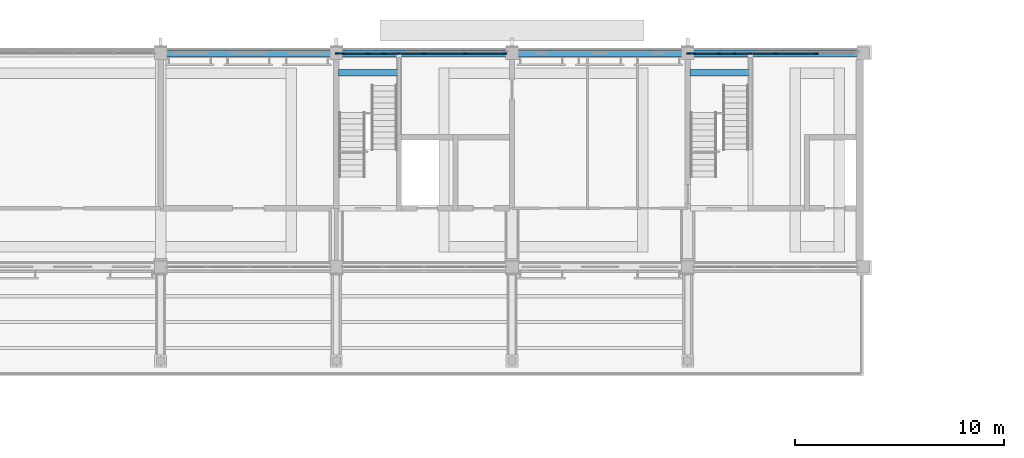
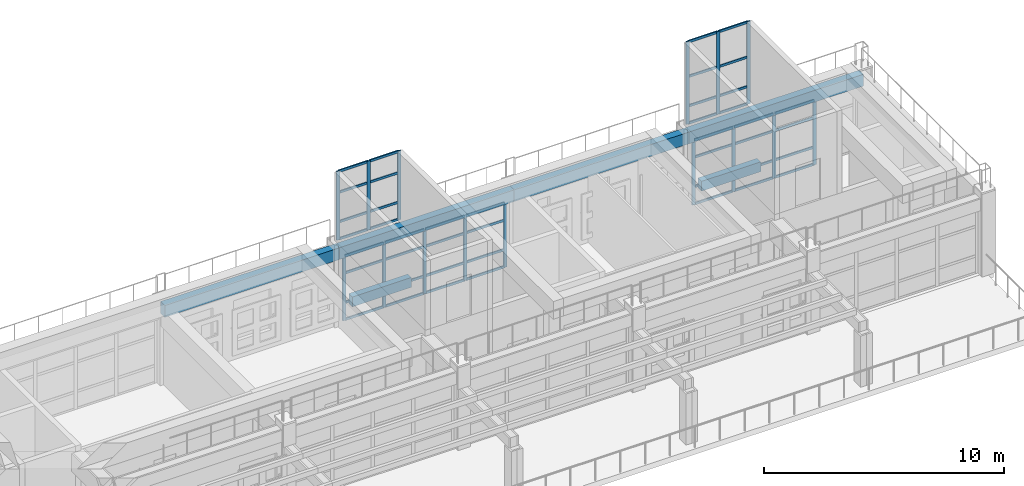
# One storey, part 39 of 105: 59 members, 6 beams, 4 elements without a shape of their own.
"""IFC4 building model written with IfcOpenShell, lengths in metres."""

from ifc_helpers import new_model, si_unit, direction, frame, origin, origin_2d, place, context, subcontext, project, spatial, rectangle, extrude, material, layer, layer_set, material_profile, profile_set, type_object, element, aggregate, save


model = new_model("IFC4")

# Units and contexts
model_context = context("Model", 3, precision=1e-05, world=origin(), true_north=direction((0.0, 1.0)))
body_context = subcontext(model_context, "Body", "Model", "MODEL_VIEW")
ifc_project = project(units=[si_unit("LENGTHUNIT", "METRE"), si_unit("AREAUNIT", "SQUARE_METRE"), si_unit("VOLUMEUNIT", "CUBIC_METRE"), si_unit("PLANEANGLEUNIT", "RADIAN"), si_unit("MASSUNIT", "GRAM", prefix="KILO")], contexts=[model_context])

# Site, building, storey
site_placement = place(None, origin())
site = spatial("IfcSite", under=ifc_project, at=site_placement, CompositionType="ELEMENT")
building_placement = place(site_placement, origin())
building = spatial("IfcBuilding", under=site, at=building_placement, Name="Wasatch Bagh Community Centre", CompositionType="ELEMENT")
storey_placement = place(building_placement, frame((0.0, 0.0, 16.800048828125)))
storey = spatial("IfcBuildingStorey", under=building, at=storey_placement, Name="L04", CompositionType="ELEMENT", Elevation=16.800048828125)

# Beams
ifc_material_1 = material(Name="Concrete C35", Category="concrete")
ifc_material_profile_1 = material_profile(ifc_material_1, rectangle(XDim=0.300048828125, YDim=0.5, at=origin_2d()), Name="RC 300x500")
ifc_profile_set_1 = profile_set([ifc_material_profile_1], Name="Concrete C35")
beam_type_1 = type_object("IfcBeamType", Name="LW RC 300x500", PredefinedType="BEAM", material=ifc_profile_set_1)
for number, where, z_axis, x_axis, name in (
    (1, (106.10498046875, 96.8798828125, 1.64990234375), (1.0, 0.0, 0.0), (0.0, 1.0, 0.0), "LW.lbeam.L04.C2"),
    (2, (122.905029296875, 96.8798828125, 1.64990234375), (1.0, 0.0, 0.0), (0.0, 1.0, 0.0), "LW.lbeam.L04.C3"),
):
    element("IfcBeam", number, at=place(storey_placement, frame(where, z_axis=z_axis, x_axis=x_axis)), inside=storey, type_object=beam_type_1, Name=name, PredefinedType="BEAM", context=body_context, shape_type="SweptSolid", body=[
        extrude(rectangle(XDim=0.300048828125, YDim=0.5, at=origin_2d()), origin(), (0.0, 0.0, 1.0), 2.840087890625),
    ])
ifc_material_profile_2 = material_profile(ifc_material_1, rectangle(XDim=0.35009765625, YDim=0.60009765625, at=origin_2d()), Name="RC 350x600")
ifc_profile_set_2 = profile_set([ifc_material_profile_2], Name="Concrete C35")
beam_type_2 = type_object("IfcBeamType", Name="LW RC 350x600", PredefinedType="BEAM", material=ifc_profile_set_2)
for number, where, z_axis, x_axis, name in (
    (3, (97.60009765625, 97.800048828125, 3.599853515625), (1.0, 0.0, 0.0), (0.0, 1.0, 0.0), "W5-W6N"),
    (4, (106.0, 97.800048828125, 3.599853515625), (1.0, 0.0, 0.0), (0.0, 1.0, 0.0), "W6-W7N"),
):
    element("IfcBeam", number, at=place(storey_placement, frame(where, z_axis=z_axis, x_axis=x_axis)), inside=storey, type_object=beam_type_2, Name=name, PredefinedType="BEAM", context=body_context, shape_type="SweptSolid", body=[
        extrude(rectangle(XDim=0.35009765625, YDim=0.60009765625, at=origin_2d()), origin(), (0.0, 0.0, 1.0), 8.39990234375),
    ])
beam_1_placement = place(storey_placement, frame((114.39990234375, 97.800048828125, 3.599853515625), z_axis=(1.0, 0.0, 0.0), x_axis=(0.0, 1.0, 0.0)))
element("IfcBeam", 5, at=beam_1_placement, inside=storey, type_object=beam_type_2, Name="W7-W8N", PredefinedType="BEAM", context=body_context, shape_type="SweptSolid", body=[
    extrude(rectangle(XDim=0.35009765625, YDim=0.60009765625, at=origin_2d()), origin(), (0.0, 0.0, 1.0), 8.400146484375),
])
beam_2_placement = place(storey_placement, frame((122.800048828125, 97.800048828125, 3.599853515625), z_axis=(1.0, 0.0, 0.0), x_axis=(0.0, 1.0, 0.0)))
element("IfcBeam", 6, at=beam_2_placement, inside=storey, type_object=beam_type_2, Name="W8-W9N", PredefinedType="BEAM", context=body_context, shape_type="SweptSolid", body=[
    extrude(rectangle(XDim=0.35009765625, YDim=0.60009765625, at=origin_2d()), origin(), (0.0, 0.0, 1.0), 8.39990234375),
])

# Curtain wall, members
ifc_material_2 = material(Name="Aluminium curtain wall frame with low-iron glass", Category="aluminium")
ifc_layer_1 = layer(ifc_material_2, 0.10009765625)
ifc_layer_set_1 = layer_set([ifc_layer_1], Name="Aluminium curtain wall frame with low-iron glass")
curtain_wall_type_1 = type_object("IfcCurtainWallType", Name="LW curtain wall 100", PredefinedType="NOTDEFINED", material=ifc_layer_set_1)
curtain_wall_1_placement = place(storey_placement, origin())
curtain_wall_1 = element("IfcCurtainWall", 7, at=curtain_wall_1_placement, inside=storey, type_object=curtain_wall_type_1, Name="Curtain wall 04.07", PredefinedType="NOTDEFINED")
ifc_material_3 = material(Name="Aluminium extrusion", Category="aluminium")
ifc_material_profile_3 = material_profile(ifc_material_3, rectangle(XDim=0.06005859375, YDim=0.159912109375, at=origin_2d()), Name="AL 60x160")
ifc_profile_set_3 = profile_set([ifc_material_profile_3], Name="Aluminium extrusion")
member_type_1 = type_object("IfcMemberType", Name="LW curtain wall mullion 60x160", PredefinedType="MULLION", material=ifc_profile_set_3)
member_1_placement = place(storey_placement, frame((106.330078125, 97.800048828125, 0.0), z_axis=(0.0, 0.0, 1.0), x_axis=(0.0, 1.0, 0.0)))
member_1 = element("IfcMember", 8, at=member_1_placement, type_object=member_type_1, Name="LW-CW1 mullion 1", PredefinedType="MULLION", context=body_context, shape_type="SweptSolid", body=[
    extrude(rectangle(XDim=0.06005859375, YDim=0.159912109375, at=origin_2d()), origin(), (0.0, 0.0, 1.0), 3.300048828125),
])
member_2_placement = place(storey_placement, frame((108.25, 97.800048828125, 0.0), z_axis=(0.0, 0.0, 1.0), x_axis=(0.0, 1.0, 0.0)))
member_2 = element("IfcMember", 9, at=member_2_placement, type_object=member_type_1, Name="LW-CW1 mullion 2", PredefinedType="MULLION", context=body_context, shape_type="SweptSolid", body=[
    extrude(rectangle(XDim=0.06005859375, YDim=0.159912109375, at=origin_2d()), origin(), (0.0, 0.0, 1.0), 3.300048828125),
])
member_3_placement = place(storey_placement, frame((110.199951171875, 97.800048828125, 0.0), z_axis=(0.0, 0.0, 1.0), x_axis=(0.0, 1.0, 0.0)))
member_3 = element("IfcMember", 10, at=member_3_placement, type_object=member_type_1, Name="LW-CW1 mullion 3", PredefinedType="MULLION", context=body_context, shape_type="SweptSolid", body=[
    extrude(rectangle(XDim=0.06005859375, YDim=0.159912109375, at=origin_2d()), origin(), (0.0, 0.0, 1.0), 3.300048828125),
])
member_4_placement = place(storey_placement, frame((112.14990234375, 97.800048828125, 0.0), z_axis=(0.0, 0.0, 1.0), x_axis=(0.0, 1.0, 0.0)))
member_4 = element("IfcMember", 11, at=member_4_placement, type_object=member_type_1, Name="LW-CW1 mullion 4", PredefinedType="MULLION", context=body_context, shape_type="SweptSolid", body=[
    extrude(rectangle(XDim=0.06005859375, YDim=0.159912109375, at=origin_2d()), origin(), (0.0, 0.0, 1.0), 3.300048828125),
])
member_5_placement = place(storey_placement, frame((114.070068359375, 97.800048828125, 0.0), z_axis=(0.0, 0.0, 1.0), x_axis=(0.0, 1.0, 0.0)))
member_5 = element("IfcMember", 12, at=member_5_placement, type_object=member_type_1, Name="LW-CW1 mullion 5", PredefinedType="MULLION", context=body_context, shape_type="SweptSolid", body=[
    extrude(rectangle(XDim=0.06005859375, YDim=0.159912109375, at=origin_2d()), origin(), (0.0, 0.0, 1.0), 3.300048828125),
])

curtain_wall_2_placement = place(storey_placement, origin())
curtain_wall_2 = element("IfcCurtainWall", 13, at=curtain_wall_2_placement, inside=storey, type_object=curtain_wall_type_1, Name="Curtain wall 04.08", PredefinedType="NOTDEFINED")
member_6_placement = place(storey_placement, frame((123.1298828125, 97.800048828125, 0.0), z_axis=(0.0, 0.0, 1.0), x_axis=(0.0, 1.0, 0.0)))
member_6 = element("IfcMember", 14, at=member_6_placement, type_object=member_type_1, Name="LW-CW1 mullion 1", PredefinedType="MULLION", context=body_context, shape_type="SweptSolid", body=[
    extrude(rectangle(XDim=0.06005859375, YDim=0.159912109375, at=origin_2d()), origin(), (0.0, 0.0, 1.0), 3.300048828125),
])
member_7_placement = place(storey_placement, frame((125.050048828125, 97.800048828125, 0.0), z_axis=(0.0, 0.0, 1.0), x_axis=(0.0, 1.0, 0.0)))
member_7 = element("IfcMember", 15, at=member_7_placement, type_object=member_type_1, Name="LW-CW1 mullion 2", PredefinedType="MULLION", context=body_context, shape_type="SweptSolid", body=[
    extrude(rectangle(XDim=0.06005859375, YDim=0.159912109375, at=origin_2d()), origin(), (0.0, 0.0, 1.0), 3.300048828125),
])
member_8_placement = place(storey_placement, frame((127.0, 97.800048828125, 0.0), z_axis=(0.0, 0.0, 1.0), x_axis=(0.0, 1.0, 0.0)))
member_8 = element("IfcMember", 16, at=member_8_placement, type_object=member_type_1, Name="LW-CW1 mullion 3", PredefinedType="MULLION", context=body_context, shape_type="SweptSolid", body=[
    extrude(rectangle(XDim=0.06005859375, YDim=0.159912109375, at=origin_2d()), origin(), (0.0, 0.0, 1.0), 3.300048828125),
])
member_9_placement = place(storey_placement, frame((128.949951171875, 97.800048828125, 0.0), z_axis=(0.0, 0.0, 1.0), x_axis=(0.0, 1.0, 0.0)))
member_9 = element("IfcMember", 17, at=member_9_placement, type_object=member_type_1, Name="LW-CW1 mullion 4", PredefinedType="MULLION", context=body_context, shape_type="SweptSolid", body=[
    extrude(rectangle(XDim=0.06005859375, YDim=0.159912109375, at=origin_2d()), origin(), (0.0, 0.0, 1.0), 3.300048828125),
])

ifc_layer_2 = layer(ifc_material_2, 0.090087890625)
ifc_layer_set_2 = layer_set([ifc_layer_2], Name="Aluminium curtain wall frame with low-iron glass")
curtain_wall_type_2 = type_object("IfcCurtainWallType", Name="LW head house curtain wall 90", PredefinedType="NOTDEFINED", material=ifc_layer_set_2)
curtain_wall_3_placement = place(storey_placement, origin())
curtain_wall_3 = element("IfcCurtainWall", 18, at=curtain_wall_3_placement, inside=storey, type_object=curtain_wall_type_2, Name="Curtain wall 04.51", PredefinedType="NOTDEFINED")
ifc_material_profile_4 = material_profile(ifc_material_3, rectangle(XDim=0.06005859375, YDim=0.159912109375, at=origin_2d()), Name="AL 60x160")
ifc_profile_set_4 = profile_set([ifc_material_profile_4], Name="Aluminium extrusion")
member_type_2 = type_object("IfcMemberType", Name="LW curtain wall mullion 60x160 LW-CW5", PredefinedType="MULLION", material=ifc_profile_set_4)
member_10_placement = place(storey_placement, frame((106.030029296875, 97.800048828125, 4.199951171875), z_axis=(0.0, 0.0, 1.0), x_axis=(0.0, 1.0, 0.0)))
member_10 = element("IfcMember", 19, at=member_10_placement, type_object=member_type_2, Name="LW-CW5 mullion 1", PredefinedType="MULLION", context=body_context, shape_type="SweptSolid", body=[
    extrude(rectangle(XDim=0.06005859375, YDim=0.159912109375, at=origin_2d()), origin(), (0.0, 0.0, 1.0), 3.5),
])
member_11_placement = place(storey_placement, frame((107.5, 97.800048828125, 4.199951171875), z_axis=(0.0, 0.0, 1.0), x_axis=(0.0, 1.0, 0.0)))
member_11 = element("IfcMember", 20, at=member_11_placement, type_object=member_type_2, Name="LW-CW5 mullion 2", PredefinedType="MULLION", context=body_context, shape_type="SweptSolid", body=[
    extrude(rectangle(XDim=0.06005859375, YDim=0.159912109375, at=origin_2d()), origin(), (0.0, 0.0, 1.0), 3.5),
])
member_12_placement = place(storey_placement, frame((108.969970703125, 97.800048828125, 4.199951171875), z_axis=(0.0, 0.0, 1.0), x_axis=(0.0, 1.0, 0.0)))
member_12 = element("IfcMember", 21, at=member_12_placement, type_object=member_type_2, Name="LW-CW5 mullion 3", PredefinedType="MULLION", context=body_context, shape_type="SweptSolid", body=[
    extrude(rectangle(XDim=0.06005859375, YDim=0.159912109375, at=origin_2d()), origin(), (0.0, 0.0, 1.0), 3.5),
])

curtain_wall_4_placement = place(storey_placement, origin())
curtain_wall_4 = element("IfcCurtainWall", 22, at=curtain_wall_4_placement, inside=storey, type_object=curtain_wall_type_2, Name="Curtain wall 04.52", PredefinedType="NOTDEFINED")
member_13_placement = place(storey_placement, frame((122.830078125, 97.800048828125, 4.199951171875), z_axis=(0.0, 0.0, 1.0), x_axis=(0.0, 1.0, 0.0)))
member_13 = element("IfcMember", 23, at=member_13_placement, type_object=member_type_2, Name="LW-CW5 mullion 1", PredefinedType="MULLION", context=body_context, shape_type="SweptSolid", body=[
    extrude(rectangle(XDim=0.06005859375, YDim=0.159912109375, at=origin_2d()), origin(), (0.0, 0.0, 1.0), 4.199951171875),
])
member_14_placement = place(storey_placement, frame((124.300048828125, 97.800048828125, 4.199951171875), z_axis=(0.0, 0.0, 1.0), x_axis=(0.0, 1.0, 0.0)))
member_14 = element("IfcMember", 24, at=member_14_placement, type_object=member_type_2, Name="LW-CW5 mullion 2", PredefinedType="MULLION", context=body_context, shape_type="SweptSolid", body=[
    extrude(rectangle(XDim=0.06005859375, YDim=0.159912109375, at=origin_2d()), origin(), (0.0, 0.0, 1.0), 4.199951171875),
])
member_15_placement = place(storey_placement, frame((125.77001953125, 97.800048828125, 4.199951171875), z_axis=(0.0, 0.0, 1.0), x_axis=(0.0, 1.0, 0.0)))
member_15 = element("IfcMember", 25, at=member_15_placement, type_object=member_type_2, Name="LW-CW5 mullion 3", PredefinedType="MULLION", context=body_context, shape_type="SweptSolid", body=[
    extrude(rectangle(XDim=0.06005859375, YDim=0.159912109375, at=origin_2d()), origin(), (0.0, 0.0, 1.0), 4.199951171875),
])

# Member
ifc_material_profile_5 = material_profile(ifc_material_3, rectangle(XDim=0.06005859375, YDim=0.1201171875, at=origin_2d()), Name="AL 60x120")
ifc_profile_set_5 = profile_set([ifc_material_profile_5], Name="Aluminium extrusion")
member_type_3 = type_object("IfcMemberType", Name="LW curtain wall transom 60x120", PredefinedType="USERDEFINED", material=ifc_profile_set_5)
member_16_placement = place(storey_placement, frame((106.360107421875, 97.800048828125, 0.030029296875), z_axis=(1.0, 0.0, 0.0), x_axis=(0.0, 1.0, 0.0)))
member_16 = element("IfcMember", 26, at=member_16_placement, type_object=member_type_3, Name="LW-CW1 transom 1.1", ObjectType="TRANSOM", PredefinedType="USERDEFINED", context=body_context, shape_type="SweptSolid", body=[
    extrude(rectangle(XDim=0.06005859375, YDim=0.1201171875, at=origin_2d()), origin(), (0.0, 0.0, 1.0), 1.85986328125),
])

member_17_placement = place(storey_placement, frame((106.360107421875, 97.800048828125, 0.89990234375), z_axis=(1.0, 0.0, 0.0), x_axis=(0.0, 1.0, 0.0)))
member_17 = element("IfcMember", 27, at=member_17_placement, type_object=member_type_3, Name="LW-CW1 transom 1.2", ObjectType="TRANSOM", PredefinedType="USERDEFINED", context=body_context, shape_type="SweptSolid", body=[
    extrude(rectangle(XDim=0.06005859375, YDim=0.1201171875, at=origin_2d()), origin(), (0.0, 0.0, 1.0), 1.85986328125),
])

member_18_placement = place(storey_placement, frame((106.360107421875, 97.800048828125, 2.39990234375), z_axis=(1.0, 0.0, 0.0), x_axis=(0.0, 1.0, 0.0)))
member_18 = element("IfcMember", 28, at=member_18_placement, type_object=member_type_3, Name="LW-CW1 transom 1.3", ObjectType="TRANSOM", PredefinedType="USERDEFINED", context=body_context, shape_type="SweptSolid", body=[
    extrude(rectangle(XDim=0.06005859375, YDim=0.1201171875, at=origin_2d()), origin(), (0.0, 0.0, 1.0), 1.85986328125),
])

member_19_placement = place(storey_placement, frame((106.360107421875, 97.800048828125, 3.27001953125), z_axis=(1.0, 0.0, 0.0), x_axis=(0.0, 1.0, 0.0)))
member_19 = element("IfcMember", 29, at=member_19_placement, type_object=member_type_3, Name="LW-CW1 transom 1.4", ObjectType="TRANSOM", PredefinedType="USERDEFINED", context=body_context, shape_type="SweptSolid", body=[
    extrude(rectangle(XDim=0.06005859375, YDim=0.1201171875, at=origin_2d()), origin(), (0.0, 0.0, 1.0), 1.85986328125),
])

member_20_placement = place(storey_placement, frame((108.280029296875, 97.800048828125, 0.030029296875), z_axis=(1.0, 0.0, 0.0), x_axis=(0.0, 1.0, 0.0)))
member_20 = element("IfcMember", 30, at=member_20_placement, type_object=member_type_3, Name="LW-CW1 transom 2.1", ObjectType="TRANSOM", PredefinedType="USERDEFINED", context=body_context, shape_type="SweptSolid", body=[
    extrude(rectangle(XDim=0.06005859375, YDim=0.1201171875, at=origin_2d()), origin(), (0.0, 0.0, 1.0), 1.889892578125),
])

member_21_placement = place(storey_placement, frame((108.280029296875, 97.800048828125, 0.89990234375), z_axis=(1.0, 0.0, 0.0), x_axis=(0.0, 1.0, 0.0)))
member_21 = element("IfcMember", 31, at=member_21_placement, type_object=member_type_3, Name="LW-CW1 transom 2.2", ObjectType="TRANSOM", PredefinedType="USERDEFINED", context=body_context, shape_type="SweptSolid", body=[
    extrude(rectangle(XDim=0.06005859375, YDim=0.1201171875, at=origin_2d()), origin(), (0.0, 0.0, 1.0), 1.889892578125),
])

member_22_placement = place(storey_placement, frame((108.280029296875, 97.800048828125, 2.39990234375), z_axis=(1.0, 0.0, 0.0), x_axis=(0.0, 1.0, 0.0)))
member_22 = element("IfcMember", 32, at=member_22_placement, type_object=member_type_3, Name="LW-CW1 transom 2.3", ObjectType="TRANSOM", PredefinedType="USERDEFINED", context=body_context, shape_type="SweptSolid", body=[
    extrude(rectangle(XDim=0.06005859375, YDim=0.1201171875, at=origin_2d()), origin(), (0.0, 0.0, 1.0), 1.889892578125),
])

member_23_placement = place(storey_placement, frame((108.280029296875, 97.800048828125, 3.27001953125), z_axis=(1.0, 0.0, 0.0), x_axis=(0.0, 1.0, 0.0)))
member_23 = element("IfcMember", 33, at=member_23_placement, type_object=member_type_3, Name="LW-CW1 transom 2.4", ObjectType="TRANSOM", PredefinedType="USERDEFINED", context=body_context, shape_type="SweptSolid", body=[
    extrude(rectangle(XDim=0.06005859375, YDim=0.1201171875, at=origin_2d()), origin(), (0.0, 0.0, 1.0), 1.889892578125),
])

member_24_placement = place(storey_placement, frame((110.22998046875, 97.800048828125, 0.030029296875), z_axis=(1.0, 0.0, 0.0), x_axis=(0.0, 1.0, 0.0)))
member_24 = element("IfcMember", 34, at=member_24_placement, type_object=member_type_3, Name="LW-CW1 transom 3.1", ObjectType="TRANSOM", PredefinedType="USERDEFINED", context=body_context, shape_type="SweptSolid", body=[
    extrude(rectangle(XDim=0.06005859375, YDim=0.1201171875, at=origin_2d()), origin(), (0.0, 0.0, 1.0), 1.89013671875),
])

member_25_placement = place(storey_placement, frame((110.22998046875, 97.800048828125, 0.89990234375), z_axis=(1.0, 0.0, 0.0), x_axis=(0.0, 1.0, 0.0)))
member_25 = element("IfcMember", 35, at=member_25_placement, type_object=member_type_3, Name="LW-CW1 transom 3.2", ObjectType="TRANSOM", PredefinedType="USERDEFINED", context=body_context, shape_type="SweptSolid", body=[
    extrude(rectangle(XDim=0.06005859375, YDim=0.1201171875, at=origin_2d()), origin(), (0.0, 0.0, 1.0), 1.89013671875),
])

member_26_placement = place(storey_placement, frame((110.22998046875, 97.800048828125, 2.39990234375), z_axis=(1.0, 0.0, 0.0), x_axis=(0.0, 1.0, 0.0)))
member_26 = element("IfcMember", 36, at=member_26_placement, type_object=member_type_3, Name="LW-CW1 transom 3.3", ObjectType="TRANSOM", PredefinedType="USERDEFINED", context=body_context, shape_type="SweptSolid", body=[
    extrude(rectangle(XDim=0.06005859375, YDim=0.1201171875, at=origin_2d()), origin(), (0.0, 0.0, 1.0), 1.89013671875),
])

member_27_placement = place(storey_placement, frame((110.22998046875, 97.800048828125, 3.27001953125), z_axis=(1.0, 0.0, 0.0), x_axis=(0.0, 1.0, 0.0)))
member_27 = element("IfcMember", 37, at=member_27_placement, type_object=member_type_3, Name="LW-CW1 transom 3.4", ObjectType="TRANSOM", PredefinedType="USERDEFINED", context=body_context, shape_type="SweptSolid", body=[
    extrude(rectangle(XDim=0.06005859375, YDim=0.1201171875, at=origin_2d()), origin(), (0.0, 0.0, 1.0), 1.89013671875),
])

member_28_placement = place(storey_placement, frame((112.179931640625, 97.800048828125, 0.030029296875), z_axis=(1.0, 0.0, 0.0), x_axis=(0.0, 1.0, 0.0)))
member_28 = element("IfcMember", 38, at=member_28_placement, type_object=member_type_3, Name="LW-CW1 transom 4.1", ObjectType="TRANSOM", PredefinedType="USERDEFINED", context=body_context, shape_type="SweptSolid", body=[
    extrude(rectangle(XDim=0.06005859375, YDim=0.1201171875, at=origin_2d()), origin(), (0.0, 0.0, 1.0), 1.860107421875),
])

member_29_placement = place(storey_placement, frame((112.179931640625, 97.800048828125, 0.89990234375), z_axis=(1.0, 0.0, 0.0), x_axis=(0.0, 1.0, 0.0)))
member_29 = element("IfcMember", 39, at=member_29_placement, type_object=member_type_3, Name="LW-CW1 transom 4.2", ObjectType="TRANSOM", PredefinedType="USERDEFINED", context=body_context, shape_type="SweptSolid", body=[
    extrude(rectangle(XDim=0.06005859375, YDim=0.1201171875, at=origin_2d()), origin(), (0.0, 0.0, 1.0), 1.860107421875),
])

member_30_placement = place(storey_placement, frame((112.179931640625, 97.800048828125, 2.39990234375), z_axis=(1.0, 0.0, 0.0), x_axis=(0.0, 1.0, 0.0)))
member_30 = element("IfcMember", 40, at=member_30_placement, type_object=member_type_3, Name="LW-CW1 transom 4.3", ObjectType="TRANSOM", PredefinedType="USERDEFINED", context=body_context, shape_type="SweptSolid", body=[
    extrude(rectangle(XDim=0.06005859375, YDim=0.1201171875, at=origin_2d()), origin(), (0.0, 0.0, 1.0), 1.860107421875),
])

member_31_placement = place(storey_placement, frame((112.179931640625, 97.800048828125, 3.27001953125), z_axis=(1.0, 0.0, 0.0), x_axis=(0.0, 1.0, 0.0)))
member_31 = element("IfcMember", 41, at=member_31_placement, type_object=member_type_3, Name="LW-CW1 transom 4.4", ObjectType="TRANSOM", PredefinedType="USERDEFINED", context=body_context, shape_type="SweptSolid", body=[
    extrude(rectangle(XDim=0.06005859375, YDim=0.1201171875, at=origin_2d()), origin(), (0.0, 0.0, 1.0), 1.860107421875),
])

aggregate(curtain_wall_1, [member_1, member_2, member_3, member_4, member_5, member_16, member_17, member_18, member_19, member_20, member_21, member_22, member_23, member_24, member_25, member_26, member_27, member_28, member_29, member_30, member_31])

member_32_placement = place(storey_placement, frame((123.159912109375, 97.800048828125, 0.030029296875), z_axis=(1.0, 0.0, 0.0), x_axis=(0.0, 1.0, 0.0)))
member_32 = element("IfcMember", 42, at=member_32_placement, type_object=member_type_3, Name="LW-CW1 transom 1.1", ObjectType="TRANSOM", PredefinedType="USERDEFINED", context=body_context, shape_type="SweptSolid", body=[
    extrude(rectangle(XDim=0.06005859375, YDim=0.1201171875, at=origin_2d()), origin(), (0.0, 0.0, 1.0), 1.860107421875),
])

member_33_placement = place(storey_placement, frame((123.159912109375, 97.800048828125, 0.89990234375), z_axis=(1.0, 0.0, 0.0), x_axis=(0.0, 1.0, 0.0)))
member_33 = element("IfcMember", 43, at=member_33_placement, type_object=member_type_3, Name="LW-CW1 transom 1.2", ObjectType="TRANSOM", PredefinedType="USERDEFINED", context=body_context, shape_type="SweptSolid", body=[
    extrude(rectangle(XDim=0.06005859375, YDim=0.1201171875, at=origin_2d()), origin(), (0.0, 0.0, 1.0), 1.860107421875),
])

member_34_placement = place(storey_placement, frame((123.159912109375, 97.800048828125, 2.39990234375), z_axis=(1.0, 0.0, 0.0), x_axis=(0.0, 1.0, 0.0)))
member_34 = element("IfcMember", 44, at=member_34_placement, type_object=member_type_3, Name="LW-CW1 transom 1.3", ObjectType="TRANSOM", PredefinedType="USERDEFINED", context=body_context, shape_type="SweptSolid", body=[
    extrude(rectangle(XDim=0.06005859375, YDim=0.1201171875, at=origin_2d()), origin(), (0.0, 0.0, 1.0), 1.860107421875),
])

member_35_placement = place(storey_placement, frame((123.159912109375, 97.800048828125, 3.27001953125), z_axis=(1.0, 0.0, 0.0), x_axis=(0.0, 1.0, 0.0)))
member_35 = element("IfcMember", 45, at=member_35_placement, type_object=member_type_3, Name="LW-CW1 transom 1.4", ObjectType="TRANSOM", PredefinedType="USERDEFINED", context=body_context, shape_type="SweptSolid", body=[
    extrude(rectangle(XDim=0.06005859375, YDim=0.1201171875, at=origin_2d()), origin(), (0.0, 0.0, 1.0), 1.860107421875),
])

member_36_placement = place(storey_placement, frame((125.080078125, 97.800048828125, 0.030029296875), z_axis=(1.0, 0.0, 0.0), x_axis=(0.0, 1.0, 0.0)))
member_36 = element("IfcMember", 46, at=member_36_placement, type_object=member_type_3, Name="LW-CW1 transom 2.1", ObjectType="TRANSOM", PredefinedType="USERDEFINED", context=body_context, shape_type="SweptSolid", body=[
    extrude(rectangle(XDim=0.06005859375, YDim=0.1201171875, at=origin_2d()), origin(), (0.0, 0.0, 1.0), 1.889892578125),
])

member_37_placement = place(storey_placement, frame((125.080078125, 97.800048828125, 0.89990234375), z_axis=(1.0, 0.0, 0.0), x_axis=(0.0, 1.0, 0.0)))
member_37 = element("IfcMember", 47, at=member_37_placement, type_object=member_type_3, Name="LW-CW1 transom 2.2", ObjectType="TRANSOM", PredefinedType="USERDEFINED", context=body_context, shape_type="SweptSolid", body=[
    extrude(rectangle(XDim=0.06005859375, YDim=0.1201171875, at=origin_2d()), origin(), (0.0, 0.0, 1.0), 1.889892578125),
])

member_38_placement = place(storey_placement, frame((125.080078125, 97.800048828125, 2.39990234375), z_axis=(1.0, 0.0, 0.0), x_axis=(0.0, 1.0, 0.0)))
member_38 = element("IfcMember", 48, at=member_38_placement, type_object=member_type_3, Name="LW-CW1 transom 2.3", ObjectType="TRANSOM", PredefinedType="USERDEFINED", context=body_context, shape_type="SweptSolid", body=[
    extrude(rectangle(XDim=0.06005859375, YDim=0.1201171875, at=origin_2d()), origin(), (0.0, 0.0, 1.0), 1.889892578125),
])

member_39_placement = place(storey_placement, frame((125.080078125, 97.800048828125, 3.27001953125), z_axis=(1.0, 0.0, 0.0), x_axis=(0.0, 1.0, 0.0)))
member_39 = element("IfcMember", 49, at=member_39_placement, type_object=member_type_3, Name="LW-CW1 transom 2.4", ObjectType="TRANSOM", PredefinedType="USERDEFINED", context=body_context, shape_type="SweptSolid", body=[
    extrude(rectangle(XDim=0.06005859375, YDim=0.1201171875, at=origin_2d()), origin(), (0.0, 0.0, 1.0), 1.889892578125),
])

member_40_placement = place(storey_placement, frame((127.030029296875, 97.800048828125, 0.030029296875), z_axis=(1.0, 0.0, 0.0), x_axis=(0.0, 1.0, 0.0)))
member_40 = element("IfcMember", 50, at=member_40_placement, type_object=member_type_3, Name="LW-CW1 transom 3.1", ObjectType="TRANSOM", PredefinedType="USERDEFINED", context=body_context, shape_type="SweptSolid", body=[
    extrude(rectangle(XDim=0.06005859375, YDim=0.1201171875, at=origin_2d()), origin(), (0.0, 0.0, 1.0), 1.889892578125),
])

member_41_placement = place(storey_placement, frame((127.030029296875, 97.800048828125, 0.89990234375), z_axis=(1.0, 0.0, 0.0), x_axis=(0.0, 1.0, 0.0)))
member_41 = element("IfcMember", 51, at=member_41_placement, type_object=member_type_3, Name="LW-CW1 transom 3.2", ObjectType="TRANSOM", PredefinedType="USERDEFINED", context=body_context, shape_type="SweptSolid", body=[
    extrude(rectangle(XDim=0.06005859375, YDim=0.1201171875, at=origin_2d()), origin(), (0.0, 0.0, 1.0), 1.889892578125),
])

member_42_placement = place(storey_placement, frame((127.030029296875, 97.800048828125, 2.39990234375), z_axis=(1.0, 0.0, 0.0), x_axis=(0.0, 1.0, 0.0)))
member_42 = element("IfcMember", 52, at=member_42_placement, type_object=member_type_3, Name="LW-CW1 transom 3.3", ObjectType="TRANSOM", PredefinedType="USERDEFINED", context=body_context, shape_type="SweptSolid", body=[
    extrude(rectangle(XDim=0.06005859375, YDim=0.1201171875, at=origin_2d()), origin(), (0.0, 0.0, 1.0), 1.889892578125),
])

member_43_placement = place(storey_placement, frame((127.030029296875, 97.800048828125, 3.27001953125), z_axis=(1.0, 0.0, 0.0), x_axis=(0.0, 1.0, 0.0)))
member_43 = element("IfcMember", 53, at=member_43_placement, type_object=member_type_3, Name="LW-CW1 transom 3.4", ObjectType="TRANSOM", PredefinedType="USERDEFINED", context=body_context, shape_type="SweptSolid", body=[
    extrude(rectangle(XDim=0.06005859375, YDim=0.1201171875, at=origin_2d()), origin(), (0.0, 0.0, 1.0), 1.889892578125),
])

aggregate(curtain_wall_2, [member_6, member_7, member_8, member_9, member_32, member_33, member_34, member_35, member_36, member_37, member_38, member_39, member_40, member_41, member_42, member_43])

ifc_material_profile_6 = material_profile(ifc_material_3, rectangle(XDim=0.06005859375, YDim=0.1201171875, at=origin_2d()), Name="AL 60x120")
ifc_profile_set_6 = profile_set([ifc_material_profile_6], Name="Aluminium extrusion")
member_type_4 = type_object("IfcMemberType", Name="LW curtain wall transom 60x120 LW-CW5", PredefinedType="USERDEFINED", material=ifc_profile_set_6)
member_44_placement = place(storey_placement, frame((106.06005859375, 97.800048828125, 4.22998046875), z_axis=(1.0, 0.0, 0.0), x_axis=(0.0, 1.0, 0.0)))
member_44 = element("IfcMember", 54, at=member_44_placement, type_object=member_type_4, Name="LW-CW5 transom 1.1", ObjectType="TRANSOM", PredefinedType="USERDEFINED", context=body_context, shape_type="SweptSolid", body=[
    extrude(rectangle(XDim=0.06005859375, YDim=0.1201171875, at=origin_2d()), origin(), (0.0, 0.0, 1.0), 1.409912109375),
])

member_45_placement = place(storey_placement, frame((106.06005859375, 97.800048828125, 5.099853515625), z_axis=(1.0, 0.0, 0.0), x_axis=(0.0, 1.0, 0.0)))
member_45 = element("IfcMember", 55, at=member_45_placement, type_object=member_type_4, Name="LW-CW5 transom 1.2", ObjectType="TRANSOM", PredefinedType="USERDEFINED", context=body_context, shape_type="SweptSolid", body=[
    extrude(rectangle(XDim=0.06005859375, YDim=0.1201171875, at=origin_2d()), origin(), (0.0, 0.0, 1.0), 1.409912109375),
])

member_46_placement = place(storey_placement, frame((106.06005859375, 97.800048828125, 6.599853515625), z_axis=(1.0, 0.0, 0.0), x_axis=(0.0, 1.0, 0.0)))
member_46 = element("IfcMember", 56, at=member_46_placement, type_object=member_type_4, Name="LW-CW5 transom 1.3", ObjectType="TRANSOM", PredefinedType="USERDEFINED", context=body_context, shape_type="SweptSolid", body=[
    extrude(rectangle(XDim=0.06005859375, YDim=0.1201171875, at=origin_2d()), origin(), (0.0, 0.0, 1.0), 1.409912109375),
])

member_47_placement = place(storey_placement, frame((106.06005859375, 97.800048828125, 7.669921875), z_axis=(1.0, 0.0, 0.0), x_axis=(0.0, 1.0, 0.0)))
member_47 = element("IfcMember", 57, at=member_47_placement, type_object=member_type_4, Name="LW-CW5 transom 1.4", ObjectType="TRANSOM", PredefinedType="USERDEFINED", context=body_context, shape_type="SweptSolid", body=[
    extrude(rectangle(XDim=0.06005859375, YDim=0.1201171875, at=origin_2d()), origin(), (0.0, 0.0, 1.0), 1.409912109375),
])

member_48_placement = place(storey_placement, frame((107.530029296875, 97.800048828125, 4.22998046875), z_axis=(1.0, 0.0, 0.0), x_axis=(0.0, 1.0, 0.0)))
member_48 = element("IfcMember", 58, at=member_48_placement, type_object=member_type_4, Name="LW-CW5 transom 2.1", ObjectType="TRANSOM", PredefinedType="USERDEFINED", context=body_context, shape_type="SweptSolid", body=[
    extrude(rectangle(XDim=0.06005859375, YDim=0.1201171875, at=origin_2d()), origin(), (0.0, 0.0, 1.0), 1.409912109375),
])

member_49_placement = place(storey_placement, frame((107.530029296875, 97.800048828125, 5.099853515625), z_axis=(1.0, 0.0, 0.0), x_axis=(0.0, 1.0, 0.0)))
member_49 = element("IfcMember", 59, at=member_49_placement, type_object=member_type_4, Name="LW-CW5 transom 2.2", ObjectType="TRANSOM", PredefinedType="USERDEFINED", context=body_context, shape_type="SweptSolid", body=[
    extrude(rectangle(XDim=0.06005859375, YDim=0.1201171875, at=origin_2d()), origin(), (0.0, 0.0, 1.0), 1.409912109375),
])

member_50_placement = place(storey_placement, frame((107.530029296875, 97.800048828125, 6.599853515625), z_axis=(1.0, 0.0, 0.0), x_axis=(0.0, 1.0, 0.0)))
member_50 = element("IfcMember", 60, at=member_50_placement, type_object=member_type_4, Name="LW-CW5 transom 2.3", ObjectType="TRANSOM", PredefinedType="USERDEFINED", context=body_context, shape_type="SweptSolid", body=[
    extrude(rectangle(XDim=0.06005859375, YDim=0.1201171875, at=origin_2d()), origin(), (0.0, 0.0, 1.0), 1.409912109375),
])

member_51_placement = place(storey_placement, frame((107.530029296875, 97.800048828125, 7.669921875), z_axis=(1.0, 0.0, 0.0), x_axis=(0.0, 1.0, 0.0)))
member_51 = element("IfcMember", 61, at=member_51_placement, type_object=member_type_4, Name="LW-CW5 transom 2.4", ObjectType="TRANSOM", PredefinedType="USERDEFINED", context=body_context, shape_type="SweptSolid", body=[
    extrude(rectangle(XDim=0.06005859375, YDim=0.1201171875, at=origin_2d()), origin(), (0.0, 0.0, 1.0), 1.409912109375),
])

aggregate(curtain_wall_3, [member_10, member_11, member_12, member_44, member_45, member_46, member_47, member_48, member_49, member_50, member_51])

member_52_placement = place(storey_placement, frame((122.860107421875, 97.800048828125, 4.22998046875), z_axis=(1.0, 0.0, 0.0), x_axis=(0.0, 1.0, 0.0)))
member_52 = element("IfcMember", 62, at=member_52_placement, type_object=member_type_4, Name="LW-CW5 transom 1.1", ObjectType="TRANSOM", PredefinedType="USERDEFINED", context=body_context, shape_type="SweptSolid", body=[
    extrude(rectangle(XDim=0.06005859375, YDim=0.1201171875, at=origin_2d()), origin(), (0.0, 0.0, 1.0), 1.409912109375),
])

member_53_placement = place(storey_placement, frame((122.860107421875, 97.800048828125, 5.099853515625), z_axis=(1.0, 0.0, 0.0), x_axis=(0.0, 1.0, 0.0)))
member_53 = element("IfcMember", 63, at=member_53_placement, type_object=member_type_4, Name="LW-CW5 transom 1.2", ObjectType="TRANSOM", PredefinedType="USERDEFINED", context=body_context, shape_type="SweptSolid", body=[
    extrude(rectangle(XDim=0.06005859375, YDim=0.1201171875, at=origin_2d()), origin(), (0.0, 0.0, 1.0), 1.409912109375),
])

member_54_placement = place(storey_placement, frame((122.860107421875, 97.800048828125, 6.599853515625), z_axis=(1.0, 0.0, 0.0), x_axis=(0.0, 1.0, 0.0)))
member_54 = element("IfcMember", 64, at=member_54_placement, type_object=member_type_4, Name="LW-CW5 transom 1.3", ObjectType="TRANSOM", PredefinedType="USERDEFINED", context=body_context, shape_type="SweptSolid", body=[
    extrude(rectangle(XDim=0.06005859375, YDim=0.1201171875, at=origin_2d()), origin(), (0.0, 0.0, 1.0), 1.409912109375),
])

member_55_placement = place(storey_placement, frame((122.860107421875, 97.800048828125, 8.369873046875), z_axis=(1.0, 0.0, 0.0), x_axis=(0.0, 1.0, 0.0)))
member_55 = element("IfcMember", 65, at=member_55_placement, type_object=member_type_4, Name="LW-CW5 transom 1.4", ObjectType="TRANSOM", PredefinedType="USERDEFINED", context=body_context, shape_type="SweptSolid", body=[
    extrude(rectangle(XDim=0.06005859375, YDim=0.1201171875, at=origin_2d()), origin(), (0.0, 0.0, 1.0), 1.409912109375),
])

member_56_placement = place(storey_placement, frame((124.330078125, 97.800048828125, 4.22998046875), z_axis=(1.0, 0.0, 0.0), x_axis=(0.0, 1.0, 0.0)))
member_56 = element("IfcMember", 66, at=member_56_placement, type_object=member_type_4, Name="LW-CW5 transom 2.1", ObjectType="TRANSOM", PredefinedType="USERDEFINED", context=body_context, shape_type="SweptSolid", body=[
    extrude(rectangle(XDim=0.06005859375, YDim=0.1201171875, at=origin_2d()), origin(), (0.0, 0.0, 1.0), 1.409912109375),
])

member_57_placement = place(storey_placement, frame((124.330078125, 97.800048828125, 5.099853515625), z_axis=(1.0, 0.0, 0.0), x_axis=(0.0, 1.0, 0.0)))
member_57 = element("IfcMember", 67, at=member_57_placement, type_object=member_type_4, Name="LW-CW5 transom 2.2", ObjectType="TRANSOM", PredefinedType="USERDEFINED", context=body_context, shape_type="SweptSolid", body=[
    extrude(rectangle(XDim=0.06005859375, YDim=0.1201171875, at=origin_2d()), origin(), (0.0, 0.0, 1.0), 1.409912109375),
])

member_58_placement = place(storey_placement, frame((124.330078125, 97.800048828125, 6.599853515625), z_axis=(1.0, 0.0, 0.0), x_axis=(0.0, 1.0, 0.0)))
member_58 = element("IfcMember", 68, at=member_58_placement, type_object=member_type_4, Name="LW-CW5 transom 2.3", ObjectType="TRANSOM", PredefinedType="USERDEFINED", context=body_context, shape_type="SweptSolid", body=[
    extrude(rectangle(XDim=0.06005859375, YDim=0.1201171875, at=origin_2d()), origin(), (0.0, 0.0, 1.0), 1.409912109375),
])

member_59_placement = place(storey_placement, frame((124.330078125, 97.800048828125, 8.369873046875), z_axis=(1.0, 0.0, 0.0), x_axis=(0.0, 1.0, 0.0)))
member_59 = element("IfcMember", 69, at=member_59_placement, type_object=member_type_4, Name="LW-CW5 transom 2.4", ObjectType="TRANSOM", PredefinedType="USERDEFINED", context=body_context, shape_type="SweptSolid", body=[
    extrude(rectangle(XDim=0.06005859375, YDim=0.1201171875, at=origin_2d()), origin(), (0.0, 0.0, 1.0), 1.409912109375),
])

aggregate(curtain_wall_4, [member_13, member_14, member_15, member_52, member_53, member_54, member_55, member_56, member_57, member_58, member_59])

save(model, "model.ifc")
